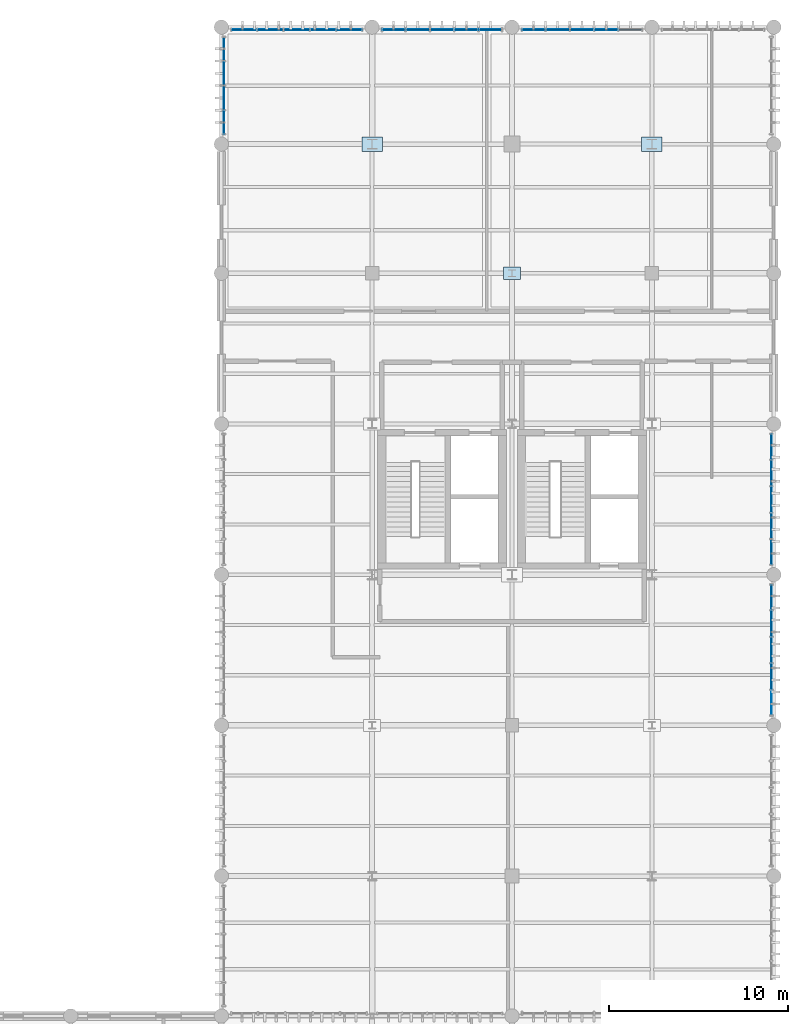
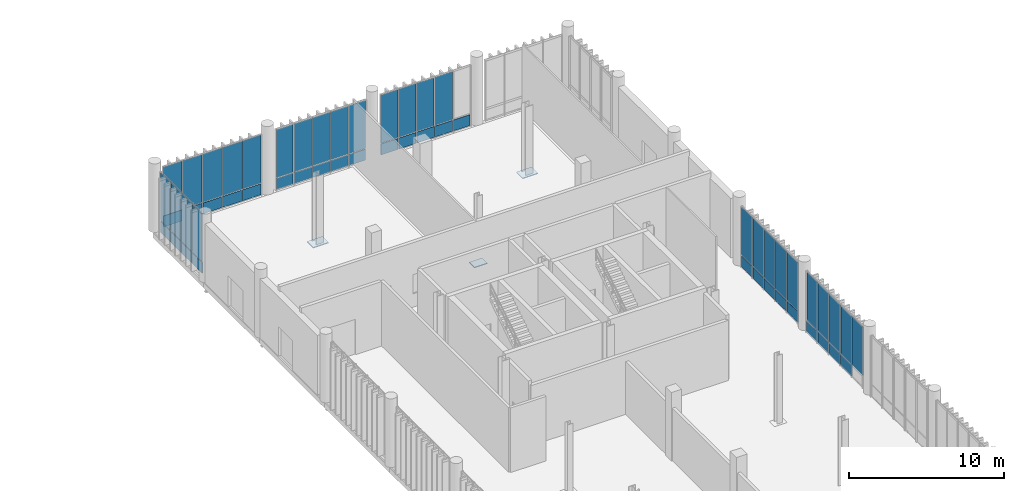
# One storey, part 83 of 112: 59 plates, 6 elements without a shape of their own.
"""IFC4 building model written with IfcOpenShell, lengths in metres."""

from ifc_helpers import new_model, si_unit, direction, frame, frame_2d, origin_with_axes, origin_2d_with_axis, place, context, subcontext, project, spatial, rectangle, extrude, material, layer, layer_set, type_object, element, aggregate, save


model = new_model("IFC4")

# Units and contexts
model_context = context("Model", 3, precision=1e-05, world=origin_with_axes(), true_north=direction((0.0, 1.0)))
body_context = subcontext(model_context, "Body", "Model", "MODEL_VIEW")
ifc_project = project(units=[si_unit("LENGTHUNIT", "METRE"), si_unit("AREAUNIT", "SQUARE_METRE"), si_unit("VOLUMEUNIT", "CUBIC_METRE"), si_unit("PLANEANGLEUNIT", "RADIAN"), si_unit("MASSUNIT", "GRAM", prefix="KILO"), si_unit("THERMODYNAMICTEMPERATUREUNIT", "KELVIN")], contexts=[model_context])

# Site, building, storey
site_placement = place(None, origin_with_axes())
site = spatial("IfcSite", under=ifc_project, at=site_placement, CompositionType="ELEMENT")
building_placement = place(site_placement, origin_with_axes())
building = spatial("IfcBuilding", under=site, at=building_placement, Name="Montbau Bow Law Courts", CompositionType="ELEMENT")
storey_placement = place(building_placement, origin_with_axes())
storey = spatial("IfcBuildingStorey", under=building, at=storey_placement, Name="L00", CompositionType="ELEMENT", Elevation=0.0)

# Plates
ifc_material_1 = material(Name="Steel CSA G40.21 Grade 350WT (350 MPa)", Category="steel")
ifc_layer_1 = layer(ifc_material_1, 0.065, Name="Base Plate", Category="steel")
ifc_layer_set_1 = layer_set([ifc_layer_1], Name="Steel CSA G40.21 Grade 350WT (350 MPa)")
plate_type_1 = type_object("IfcPlateType", Name="PL-BAS-01", PredefinedType="USERDEFINED", material=ifc_layer_set_1)
for number, where, z_axis, x_axis, name in (
    (1, (147.0, 110.4, -0.065), (0.0, 0.0, 1.0), (1.0, 0.0, 0.0), "BP-312:plt_0022"),
    (2, (162.6, 110.4, -0.065), (0.0, 0.0, 1.0), (1.0, 0.0, 0.0), "BP-342:plt_0031"),
):
    element("IfcPlate", number, at=place(None, frame(where, z_axis=z_axis, x_axis=x_axis)), inside=storey, type_object=plate_type_1, Name=name, ObjectType="BASE_PLATE", PredefinedType="USERDEFINED", context=body_context, shape_type="SweptSolid", body=[
        extrude(rectangle(XDim=1.15, YDim=0.8, at=origin_2d_with_axis()), origin_with_axes(), (0.0, 0.0, 1.0), 0.065),
    ])
ifc_material_2 = material(Name="Steel CSA G40.21 Grade 350W (350 MPa)", Category="steel")
ifc_layer_2 = layer(ifc_material_2, 0.05, Name="Base Plate", Category="steel")
ifc_layer_set_2 = layer_set([ifc_layer_2], Name="Steel CSA G40.21 Grade 350W (350 MPa)")
plate_type_2 = type_object("IfcPlateType", Name="PL-BAS-02", PredefinedType="USERDEFINED", material=ifc_layer_set_2)
plate_1_placement = place(None, frame((154.8, 103.2, -0.05), z_axis=(0.0, 0.0, 1.0), x_axis=(1.0, 0.0, 0.0)))
element("IfcPlate", 3, at=plate_1_placement, inside=storey, type_object=plate_type_2, Name="BP-326:plt_0026", ObjectType="BASE_PLATE", PredefinedType="USERDEFINED", context=body_context, shape_type="SweptSolid", body=[
    extrude(rectangle(XDim=0.96, YDim=0.68, at=origin_2d_with_axis()), origin_with_axes(), (0.0, 0.0, 1.0), 0.05),
])

# Curtain wall, plates
ifc_material_3 = material(Name="Thermally Broken Extruded Aluminium AA 6063-T6", Category="aluminium")
curtain_wall_type = type_object("IfcCurtainWallType", Name="CW-SLT-01", PredefinedType="NOTDEFINED", material=ifc_material_3)
curtain_wall_1_placement = place(None, frame((139.115, 116.78, 0.0), z_axis=(0.0, 0.0, 1.0), x_axis=(1.0, 0.0, 0.0)))
curtain_wall_1 = element("IfcCurtainWall", 4, at=curtain_wall_1_placement, inside=storey, type_object=curtain_wall_type, Name="CW-L00-263:cw_0263", PredefinedType="NOTDEFINED")
ifc_material_4 = material(Name="Triple-Glazed Low-E Argon Insulating Glass Unit", Category="glass")
ifc_layer_3 = layer(ifc_material_4, 0.044, Name="Curtain Panel", Category="glass")
ifc_layer_set_3 = layer_set([ifc_layer_3], Name="Triple-Glazed Low-E Argon Insulating Glass Unit")
plate_type_3 = type_object("IfcPlateType", Name="PL-CWP-01", PredefinedType="CURTAIN_PANEL", material=ifc_layer_set_3)
plate_2_placement = place(None, frame((139.177, 116.78, 0.979), z_axis=(0.0, -1.0, 0.0), x_axis=(1.0, 0.0, 0.0)))
plate_2 = element("IfcPlate", 5, at=plate_2_placement, type_object=plate_type_3, Name="CW-L00-263-P01-2:cw_0263_P01_2", PredefinedType="CURTAIN_PANEL", context=body_context, shape_type="SweptSolid", body=[
    extrude(rectangle(XDim=1.38, YDim=3.785, at=frame_2d((0.69, 1.8925), x_axis=(1.0, 0.0))), frame((0.0, 0.0, -0.022), z_axis=(0.0, 0.0, 1.0), x_axis=(1.0, 0.0, 0.0)), (0.0, 0.0, 1.0), 0.044),
])
plate_3_placement = place(None, frame((140.621, 116.78, 0.979), z_axis=(0.0, -1.0, 0.0), x_axis=(1.0, 0.0, 0.0)))
plate_3 = element("IfcPlate", 6, at=plate_3_placement, type_object=plate_type_3, Name="CW-L00-263-P02-2:cw_0263_P02_2", PredefinedType="CURTAIN_PANEL", context=body_context, shape_type="SweptSolid", body=[
    extrude(rectangle(XDim=1.41, YDim=3.785, at=frame_2d((0.705, 1.8925), x_axis=(1.0, 0.0))), frame((0.0, 0.0, -0.022), z_axis=(0.0, 0.0, 1.0), x_axis=(1.0, 0.0, 0.0)), (0.0, 0.0, 1.0), 0.044),
])
plate_4_placement = place(None, frame((142.095, 116.78, 0.979), z_axis=(0.0, -1.0, 0.0), x_axis=(1.0, 0.0, 0.0)))
plate_4 = element("IfcPlate", 7, at=plate_4_placement, type_object=plate_type_3, Name="CW-L00-263-P03-2:cw_0263_P03_2", PredefinedType="CURTAIN_PANEL", context=body_context, shape_type="SweptSolid", body=[
    extrude(rectangle(XDim=1.41, YDim=3.785, at=frame_2d((0.705, 1.8925), x_axis=(1.0, 0.0))), frame((0.0, 0.0, -0.022), z_axis=(0.0, 0.0, 1.0), x_axis=(1.0, 0.0, 0.0)), (0.0, 0.0, 1.0), 0.044),
])
plate_5_placement = place(None, frame((143.569, 116.78, 0.979), z_axis=(0.0, -1.0, 0.0), x_axis=(1.0, 0.0, 0.0)))
plate_5 = element("IfcPlate", 8, at=plate_5_placement, type_object=plate_type_3, Name="CW-L00-263-P04-2:cw_0263_P04_2", PredefinedType="CURTAIN_PANEL", context=body_context, shape_type="SweptSolid", body=[
    extrude(rectangle(XDim=1.41, YDim=3.785, at=frame_2d((0.705, 1.8925), x_axis=(1.0, 0.0))), frame((0.0, 0.0, -0.022), z_axis=(0.0, 0.0, 1.0), x_axis=(1.0, 0.0, 0.0)), (0.0, 0.0, 1.0), 0.044),
])
plate_6_placement = place(None, frame((145.043, 116.78, 0.979), z_axis=(0.0, -1.0, 0.0), x_axis=(1.0, 0.0, 0.0)))
plate_6 = element("IfcPlate", 9, at=plate_6_placement, type_object=plate_type_3, Name="CW-L00-263-P05-2:cw_0263_P05_2", PredefinedType="CURTAIN_PANEL", context=body_context, shape_type="SweptSolid", body=[
    extrude(rectangle(XDim=1.38, YDim=3.785, at=frame_2d((0.69, 1.8925), x_axis=(1.0, 0.0))), frame((0.0, 0.0, -0.022), z_axis=(0.0, 0.0, 1.0), x_axis=(1.0, 0.0, 0.0)), (0.0, 0.0, 1.0), 0.044),
])

curtain_wall_2_placement = place(None, frame((147.515, 116.78, 0.0), z_axis=(0.0, 0.0, 1.0), x_axis=(1.0, 0.0, 0.0)))
curtain_wall_2 = element("IfcCurtainWall", 10, at=curtain_wall_2_placement, inside=storey, type_object=curtain_wall_type, Name="CW-L00-264:cw_0264", PredefinedType="NOTDEFINED")
plate_7_placement = place(None, frame((147.591, 116.78, 0.982), z_axis=(0.0, -1.0, 0.0), x_axis=(1.0, 0.0, 0.0)))
plate_7 = element("IfcPlate", 11, at=plate_7_placement, type_object=plate_type_3, Name="CW-L00-264-P01-2:cw_0264_P01_2", PredefinedType="CURTAIN_PANEL", context=body_context, shape_type="SweptSolid", body=[
    extrude(rectangle(XDim=1.239, YDim=3.776, at=frame_2d((0.6195, 1.888), x_axis=(1.0, 0.0))), frame((0.0, 0.0, -0.022), z_axis=(0.0, 0.0, 1.0), x_axis=(1.0, 0.0, 0.0)), (0.0, 0.0, 1.0), 0.044),
])
plate_8_placement = place(None, frame((148.909, 116.78, 0.982), z_axis=(0.0, -1.0, 0.0), x_axis=(1.0, 0.0, 0.0)))
plate_8 = element("IfcPlate", 12, at=plate_8_placement, type_object=plate_type_3, Name="CW-L00-264-P02-2:cw_0264_P02_2", PredefinedType="CURTAIN_PANEL", context=body_context, shape_type="SweptSolid", body=[
    extrude(rectangle(XDim=1.275, YDim=3.776, at=frame_2d((0.6375, 1.888), x_axis=(1.0, 0.0))), frame((0.0, 0.0, -0.022), z_axis=(0.0, 0.0, 1.0), x_axis=(1.0, 0.0, 0.0)), (0.0, 0.0, 1.0), 0.044),
])
plate_9_placement = place(None, frame((150.263, 116.78, 0.982), z_axis=(0.0, -1.0, 0.0), x_axis=(1.0, 0.0, 0.0)))
plate_9 = element("IfcPlate", 13, at=plate_9_placement, type_object=plate_type_3, Name="CW-L00-264-P03-2:cw_0264_P03_2", PredefinedType="CURTAIN_PANEL", context=body_context, shape_type="SweptSolid", body=[
    extrude(rectangle(XDim=1.275, YDim=3.776, at=frame_2d((0.6375, 1.888), x_axis=(1.0, 0.0))), frame((0.0, 0.0, -0.022), z_axis=(0.0, 0.0, 1.0), x_axis=(1.0, 0.0, 0.0)), (0.0, 0.0, 1.0), 0.044),
])
plate_10_placement = place(None, frame((151.616, 116.78, 0.982), z_axis=(0.0, -1.0, 0.0), x_axis=(1.0, 0.0, 0.0)))
plate_10 = element("IfcPlate", 14, at=plate_10_placement, type_object=plate_type_3, Name="CW-L00-264-P04-2:cw_0264_P04_2", PredefinedType="CURTAIN_PANEL", context=body_context, shape_type="SweptSolid", body=[
    extrude(rectangle(XDim=1.276, YDim=3.776, at=frame_2d((0.638, 1.888), x_axis=(1.0, 0.0))), frame((0.0, 0.0, -0.022), z_axis=(0.0, 0.0, 1.0), x_axis=(1.0, 0.0, 0.0)), (0.0, 0.0, 1.0), 0.044),
])
plate_11_placement = place(None, frame((152.97, 116.78, 0.982), z_axis=(0.0, -1.0, 0.0), x_axis=(1.0, 0.0, 0.0)))
plate_11 = element("IfcPlate", 15, at=plate_11_placement, type_object=plate_type_3, Name="CW-L00-264-P05-2:cw_0264_P05_2", PredefinedType="CURTAIN_PANEL", context=body_context, shape_type="SweptSolid", body=[
    extrude(rectangle(XDim=1.239, YDim=3.776, at=frame_2d((0.6195, 1.888), x_axis=(1.0, 0.0))), frame((0.0, 0.0, -0.022), z_axis=(0.0, 0.0, 1.0), x_axis=(1.0, 0.0, 0.0)), (0.0, 0.0, 1.0), 0.044),
])

curtain_wall_3_placement = place(None, frame((155.315, 116.78, 0.0), z_axis=(0.0, 0.0, 1.0), x_axis=(1.0, 0.0, 0.0)))
curtain_wall_3 = element("IfcCurtainWall", 16, at=curtain_wall_3_placement, inside=storey, type_object=curtain_wall_type, Name="CW-L00-265:cw_0265", PredefinedType="NOTDEFINED")
plate_12_placement = place(None, frame((155.383, 116.78, 0.979), z_axis=(0.0, -1.0, 0.0), x_axis=(1.0, 0.0, 0.0)))
plate_12 = element("IfcPlate", 17, at=plate_12_placement, type_object=plate_type_3, Name="CW-L00-265-P01-2:cw_0265_P01_2", PredefinedType="CURTAIN_PANEL", context=body_context, shape_type="SweptSolid", body=[
    extrude(rectangle(XDim=1.252, YDim=3.785, at=frame_2d((0.626, 1.8925), x_axis=(1.0, 0.0))), frame((0.0, 0.0, -0.022), z_axis=(0.0, 0.0, 1.0), x_axis=(1.0, 0.0, 0.0)), (0.0, 0.0, 1.0), 0.044),
])
plate_13_placement = place(None, frame((156.704, 116.78, 0.979), z_axis=(0.0, -1.0, 0.0), x_axis=(1.0, 0.0, 0.0)))
plate_13 = element("IfcPlate", 18, at=plate_13_placement, type_object=plate_type_3, Name="CW-L00-265-P02-2:cw_0265_P02_2", PredefinedType="CURTAIN_PANEL", context=body_context, shape_type="SweptSolid", body=[
    extrude(rectangle(XDim=1.285, YDim=3.785, at=frame_2d((0.6425, 1.8925), x_axis=(1.0, 0.0))), frame((0.0, 0.0, -0.022), z_axis=(0.0, 0.0, 1.0), x_axis=(1.0, 0.0, 0.0)), (0.0, 0.0, 1.0), 0.044),
])
plate_14_placement = place(None, frame((158.058, 116.78, 0.979), z_axis=(0.0, -1.0, 0.0), x_axis=(1.0, 0.0, 0.0)))
plate_14 = element("IfcPlate", 19, at=plate_14_placement, type_object=plate_type_3, Name="CW-L00-265-P03-2:cw_0265_P03_2", PredefinedType="CURTAIN_PANEL", context=body_context, shape_type="SweptSolid", body=[
    extrude(rectangle(XDim=1.285, YDim=3.785, at=frame_2d((0.6425, 1.8925), x_axis=(1.0, 0.0))), frame((0.0, 0.0, -0.022), z_axis=(0.0, 0.0, 1.0), x_axis=(1.0, 0.0, 0.0)), (0.0, 0.0, 1.0), 0.044),
])
plate_15_placement = place(None, frame((159.411, 116.78, 0.979), z_axis=(0.0, -1.0, 0.0), x_axis=(1.0, 0.0, 0.0)))
plate_15 = element("IfcPlate", 20, at=plate_15_placement, type_object=plate_type_3, Name="CW-L00-265-P04-2:cw_0265_P04_2", PredefinedType="CURTAIN_PANEL", context=body_context, shape_type="SweptSolid", body=[
    extrude(rectangle(XDim=1.286, YDim=3.785, at=frame_2d((0.643, 1.8925), x_axis=(1.0, 0.0))), frame((0.0, 0.0, -0.022), z_axis=(0.0, 0.0, 1.0), x_axis=(1.0, 0.0, 0.0)), (0.0, 0.0, 1.0), 0.044),
])

curtain_wall_4_placement = place(None, frame((138.74, 110.915, 0.0), z_axis=(0.0, 0.0, 1.0), x_axis=(1.0, 0.0, 0.0)))
curtain_wall_4 = element("IfcCurtainWall", 21, at=curtain_wall_4_placement, inside=storey, type_object=curtain_wall_type, Name="CW-L00-271:cw_0271", PredefinedType="NOTDEFINED")
plate_16_placement = place(None, frame((138.74, 110.983, 0.979), z_axis=(1.0, 0.0, 0.0), x_axis=(0.0, 1.0, 0.0)))
plate_16 = element("IfcPlate", 22, at=plate_16_placement, type_object=plate_type_3, Name="CW-L00-271-P01-2:cw_0271_P01_2", PredefinedType="CURTAIN_PANEL", context=body_context, shape_type="SweptSolid", body=[
    extrude(rectangle(XDim=1.27, YDim=3.785, at=frame_2d((0.635, 1.8925), x_axis=(1.0, 0.0))), frame((0.0, 0.0, -0.022), z_axis=(0.0, 0.0, 1.0), x_axis=(1.0, 0.0, 0.0)), (0.0, 0.0, 1.0), 0.044),
])
plate_17_placement = place(None, frame((138.74, 112.322, 0.979), z_axis=(1.0, 0.0, 0.0), x_axis=(0.0, 1.0, 0.0)))
plate_17 = element("IfcPlate", 23, at=plate_17_placement, type_object=plate_type_3, Name="CW-L00-271-P02-2:cw_0271_P02_2", PredefinedType="CURTAIN_PANEL", context=body_context, shape_type="SweptSolid", body=[
    extrude(rectangle(XDim=1.304, YDim=3.785, at=frame_2d((0.652, 1.8925), x_axis=(1.0, 0.0))), frame((0.0, 0.0, -0.022), z_axis=(0.0, 0.0, 1.0), x_axis=(1.0, 0.0, 0.0)), (0.0, 0.0, 1.0), 0.044),
])
plate_18_placement = place(None, frame((138.74, 113.695, 0.979), z_axis=(1.0, 0.0, 0.0), x_axis=(0.0, 1.0, 0.0)))
plate_18 = element("IfcPlate", 24, at=plate_18_placement, type_object=plate_type_3, Name="CW-L00-271-P03-2:cw_0271_P03_2", PredefinedType="CURTAIN_PANEL", context=body_context, shape_type="SweptSolid", body=[
    extrude(rectangle(XDim=1.303, YDim=3.785, at=frame_2d((0.6515, 1.8925), x_axis=(1.0, 0.0))), frame((0.0, 0.0, -0.022), z_axis=(0.0, 0.0, 1.0), x_axis=(1.0, 0.0, 0.0)), (0.0, 0.0, 1.0), 0.044),
])
plate_19_placement = place(None, frame((138.74, 115.066, 0.979), z_axis=(1.0, 0.0, 0.0), x_axis=(0.0, 1.0, 0.0)))
plate_19 = element("IfcPlate", 25, at=plate_19_placement, type_object=plate_type_3, Name="CW-L00-271-P04-2:cw_0271_P04_2", PredefinedType="CURTAIN_PANEL", context=body_context, shape_type="SweptSolid", body=[
    extrude(rectangle(XDim=1.272, YDim=3.785, at=frame_2d((0.636, 1.8925), x_axis=(1.0, 0.0))), frame((0.0, 0.0, -0.022), z_axis=(0.0, 0.0, 1.0), x_axis=(1.0, 0.0, 0.0)), (0.0, 0.0, 1.0), 0.044),
])

curtain_wall_5_placement = place(None, frame((169.26, 78.515, 0.0), z_axis=(0.0, 0.0, 1.0), x_axis=(1.0, 0.0, 0.0)))
curtain_wall_5 = element("IfcCurtainWall", 26, at=curtain_wall_5_placement, inside=storey, type_object=curtain_wall_type, Name="CW-L00-274:cw_0274", PredefinedType="NOTDEFINED")
plate_20_placement = place(None, frame((169.26, 78.583, 0.982), z_axis=(1.0, 0.0, 0.0), x_axis=(0.0, 1.0, 0.0)))
plate_20 = element("IfcPlate", 27, at=plate_20_placement, type_object=plate_type_3, Name="CW-L00-274-P01-2:cw_0274_P01_2", PredefinedType="CURTAIN_PANEL", context=body_context, shape_type="SweptSolid", body=[
    extrude(rectangle(XDim=1.372, YDim=3.776, at=frame_2d((0.686, 1.888), x_axis=(1.0, 0.0))), frame((0.0, 0.0, -0.022), z_axis=(0.0, 0.0, 1.0), x_axis=(1.0, 0.0, 0.0)), (0.0, 0.0, 1.0), 0.044),
])
plate_21_placement = place(None, frame((169.26, 80.023, 0.982), z_axis=(1.0, 0.0, 0.0), x_axis=(0.0, 1.0, 0.0)))
plate_21 = element("IfcPlate", 28, at=plate_21_placement, type_object=plate_type_3, Name="CW-L00-274-P02-2:cw_0274_P02_2", PredefinedType="CURTAIN_PANEL", context=body_context, shape_type="SweptSolid", body=[
    extrude(rectangle(XDim=1.405, YDim=3.776, at=frame_2d((0.7025, 1.888), x_axis=(1.0, 0.0))), frame((0.0, 0.0, -0.022), z_axis=(0.0, 0.0, 1.0), x_axis=(1.0, 0.0, 0.0)), (0.0, 0.0, 1.0), 0.044),
])
plate_22_placement = place(None, frame((169.26, 81.497, 0.982), z_axis=(1.0, 0.0, 0.0), x_axis=(0.0, 1.0, 0.0)))
plate_22 = element("IfcPlate", 29, at=plate_22_placement, type_object=plate_type_3, Name="CW-L00-274-P03-2:cw_0274_P03_2", PredefinedType="CURTAIN_PANEL", context=body_context, shape_type="SweptSolid", body=[
    extrude(rectangle(XDim=1.406, YDim=3.776, at=frame_2d((0.703, 1.888), x_axis=(1.0, 0.0))), frame((0.0, 0.0, -0.022), z_axis=(0.0, 0.0, 1.0), x_axis=(1.0, 0.0, 0.0)), (0.0, 0.0, 1.0), 0.044),
])
plate_23_placement = place(None, frame((169.26, 82.971, 0.982), z_axis=(1.0, 0.0, 0.0), x_axis=(0.0, 1.0, 0.0)))
plate_23 = element("IfcPlate", 30, at=plate_23_placement, type_object=plate_type_3, Name="CW-L00-274-P04-2:cw_0274_P04_2", PredefinedType="CURTAIN_PANEL", context=body_context, shape_type="SweptSolid", body=[
    extrude(rectangle(XDim=1.406, YDim=3.776, at=frame_2d((0.703, 1.888), x_axis=(1.0, 0.0))), frame((0.0, 0.0, -0.022), z_axis=(0.0, 0.0, 1.0), x_axis=(1.0, 0.0, 0.0)), (0.0, 0.0, 1.0), 0.044),
])
plate_24_placement = place(None, frame((169.26, 84.445, 0.982), z_axis=(1.0, 0.0, 0.0), x_axis=(0.0, 1.0, 0.0)))
plate_24 = element("IfcPlate", 31, at=plate_24_placement, type_object=plate_type_3, Name="CW-L00-274-P05-2:cw_0274_P05_2", PredefinedType="CURTAIN_PANEL", context=body_context, shape_type="SweptSolid", body=[
    extrude(rectangle(XDim=1.374, YDim=3.776, at=frame_2d((0.687, 1.888), x_axis=(1.0, 0.0))), frame((0.0, 0.0, -0.022), z_axis=(0.0, 0.0, 1.0), x_axis=(1.0, 0.0, 0.0)), (0.0, 0.0, 1.0), 0.044),
])

curtain_wall_6_placement = place(None, frame((169.26, 86.915, 0.0), z_axis=(0.0, 0.0, 1.0), x_axis=(1.0, 0.0, 0.0)))
curtain_wall_6 = element("IfcCurtainWall", 32, at=curtain_wall_6_placement, inside=storey, type_object=curtain_wall_type, Name="CW-L00-275:cw_0275", PredefinedType="NOTDEFINED")
plate_25_placement = place(None, frame((169.26, 86.977, 0.979), z_axis=(1.0, 0.0, 0.0), x_axis=(0.0, 1.0, 0.0)))
plate_25 = element("IfcPlate", 33, at=plate_25_placement, type_object=plate_type_3, Name="CW-L00-275-P01-2:cw_0275_P01_2", PredefinedType="CURTAIN_PANEL", context=body_context, shape_type="SweptSolid", body=[
    extrude(rectangle(XDim=1.38, YDim=3.785, at=frame_2d((0.69, 1.8925), x_axis=(1.0, 0.0))), frame((0.0, 0.0, -0.022), z_axis=(0.0, 0.0, 1.0), x_axis=(1.0, 0.0, 0.0)), (0.0, 0.0, 1.0), 0.044),
])
plate_26_placement = place(None, frame((169.26, 88.421, 0.979), z_axis=(1.0, 0.0, 0.0), x_axis=(0.0, 1.0, 0.0)))
plate_26 = element("IfcPlate", 34, at=plate_26_placement, type_object=plate_type_3, Name="CW-L00-275-P02-2:cw_0275_P02_2", PredefinedType="CURTAIN_PANEL", context=body_context, shape_type="SweptSolid", body=[
    extrude(rectangle(XDim=1.41, YDim=3.785, at=frame_2d((0.705, 1.8925), x_axis=(1.0, 0.0))), frame((0.0, 0.0, -0.022), z_axis=(0.0, 0.0, 1.0), x_axis=(1.0, 0.0, 0.0)), (0.0, 0.0, 1.0), 0.044),
])
plate_27_placement = place(None, frame((169.26, 89.895, 0.979), z_axis=(1.0, 0.0, 0.0), x_axis=(0.0, 1.0, 0.0)))
plate_27 = element("IfcPlate", 35, at=plate_27_placement, type_object=plate_type_3, Name="CW-L00-275-P03-2:cw_0275_P03_2", PredefinedType="CURTAIN_PANEL", context=body_context, shape_type="SweptSolid", body=[
    extrude(rectangle(XDim=1.41, YDim=3.785, at=frame_2d((0.705, 1.8925), x_axis=(1.0, 0.0))), frame((0.0, 0.0, -0.022), z_axis=(0.0, 0.0, 1.0), x_axis=(1.0, 0.0, 0.0)), (0.0, 0.0, 1.0), 0.044),
])
plate_28_placement = place(None, frame((169.26, 91.369, 0.979), z_axis=(1.0, 0.0, 0.0), x_axis=(0.0, 1.0, 0.0)))
plate_28 = element("IfcPlate", 36, at=plate_28_placement, type_object=plate_type_3, Name="CW-L00-275-P04-2:cw_0275_P04_2", PredefinedType="CURTAIN_PANEL", context=body_context, shape_type="SweptSolid", body=[
    extrude(rectangle(XDim=1.41, YDim=3.785, at=frame_2d((0.705, 1.8925), x_axis=(1.0, 0.0))), frame((0.0, 0.0, -0.022), z_axis=(0.0, 0.0, 1.0), x_axis=(1.0, 0.0, 0.0)), (0.0, 0.0, 1.0), 0.044),
])
plate_29_placement = place(None, frame((169.26, 92.843, 0.979), z_axis=(1.0, 0.0, 0.0), x_axis=(0.0, 1.0, 0.0)))
plate_29 = element("IfcPlate", 37, at=plate_29_placement, type_object=plate_type_3, Name="CW-L00-275-P05-2:cw_0275_P05_2", PredefinedType="CURTAIN_PANEL", context=body_context, shape_type="SweptSolid", body=[
    extrude(rectangle(XDim=1.38, YDim=3.785, at=frame_2d((0.69, 1.8925), x_axis=(1.0, 0.0))), frame((0.0, 0.0, -0.022), z_axis=(0.0, 0.0, 1.0), x_axis=(1.0, 0.0, 0.0)), (0.0, 0.0, 1.0), 0.044),
])

# Plate
ifc_material_5 = material(Name="Insulated Ceramic-Frit Spandrel Glazing Unit", Category="glass")
ifc_layer_4 = layer(ifc_material_5, 0.056, Name="Curtain Panel", Category="glass")
ifc_layer_set_4 = layer_set([ifc_layer_4], Name="Insulated Ceramic-Frit Spandrel Glazing Unit")
plate_type_4 = type_object("IfcPlateType", Name="PL-CWP-02", PredefinedType="CURTAIN_PANEL", material=ifc_layer_set_4)
plate_30_placement = place(None, frame((139.177, 116.78, 0.058), z_axis=(0.0, -1.0, 0.0), x_axis=(1.0, 0.0, 0.0)))
plate_30 = element("IfcPlate", 38, at=plate_30_placement, type_object=plate_type_4, Name="CW-L00-263-P01-1:cw_0263_P01_1", PredefinedType="CURTAIN_PANEL", context=body_context, shape_type="SweptSolid", body=[
    extrude(rectangle(XDim=1.38, YDim=0.862, at=frame_2d((0.69, 0.431), x_axis=(1.0, 0.0))), frame((0.0, 0.0, -0.028), z_axis=(0.0, 0.0, 1.0), x_axis=(1.0, 0.0, 0.0)), (0.0, 0.0, 1.0), 0.056),
])

plate_31_placement = place(None, frame((140.621, 116.78, 0.058), z_axis=(0.0, -1.0, 0.0), x_axis=(1.0, 0.0, 0.0)))
plate_31 = element("IfcPlate", 39, at=plate_31_placement, type_object=plate_type_4, Name="CW-L00-263-P02-1:cw_0263_P02_1", PredefinedType="CURTAIN_PANEL", context=body_context, shape_type="SweptSolid", body=[
    extrude(rectangle(XDim=1.41, YDim=0.862, at=frame_2d((0.705, 0.431), x_axis=(1.0, 0.0))), frame((0.0, 0.0, -0.028), z_axis=(0.0, 0.0, 1.0), x_axis=(1.0, 0.0, 0.0)), (0.0, 0.0, 1.0), 0.056),
])

plate_32_placement = place(None, frame((142.095, 116.78, 0.058), z_axis=(0.0, -1.0, 0.0), x_axis=(1.0, 0.0, 0.0)))
plate_32 = element("IfcPlate", 40, at=plate_32_placement, type_object=plate_type_4, Name="CW-L00-263-P03-1:cw_0263_P03_1", PredefinedType="CURTAIN_PANEL", context=body_context, shape_type="SweptSolid", body=[
    extrude(rectangle(XDim=1.41, YDim=0.862, at=frame_2d((0.705, 0.431), x_axis=(1.0, 0.0))), frame((0.0, 0.0, -0.028), z_axis=(0.0, 0.0, 1.0), x_axis=(1.0, 0.0, 0.0)), (0.0, 0.0, 1.0), 0.056),
])

plate_33_placement = place(None, frame((143.569, 116.78, 0.058), z_axis=(0.0, -1.0, 0.0), x_axis=(1.0, 0.0, 0.0)))
plate_33 = element("IfcPlate", 41, at=plate_33_placement, type_object=plate_type_4, Name="CW-L00-263-P04-1:cw_0263_P04_1", PredefinedType="CURTAIN_PANEL", context=body_context, shape_type="SweptSolid", body=[
    extrude(rectangle(XDim=1.41, YDim=0.862, at=frame_2d((0.705, 0.431), x_axis=(1.0, 0.0))), frame((0.0, 0.0, -0.028), z_axis=(0.0, 0.0, 1.0), x_axis=(1.0, 0.0, 0.0)), (0.0, 0.0, 1.0), 0.056),
])

plate_34_placement = place(None, frame((145.043, 116.78, 0.058), z_axis=(0.0, -1.0, 0.0), x_axis=(1.0, 0.0, 0.0)))
plate_34 = element("IfcPlate", 42, at=plate_34_placement, type_object=plate_type_4, Name="CW-L00-263-P05-1:cw_0263_P05_1", PredefinedType="CURTAIN_PANEL", context=body_context, shape_type="SweptSolid", body=[
    extrude(rectangle(XDim=1.38, YDim=0.862, at=frame_2d((0.69, 0.431), x_axis=(1.0, 0.0))), frame((0.0, 0.0, -0.028), z_axis=(0.0, 0.0, 1.0), x_axis=(1.0, 0.0, 0.0)), (0.0, 0.0, 1.0), 0.056),
])

aggregate(curtain_wall_1, [plate_30, plate_2, plate_31, plate_3, plate_32, plate_4, plate_33, plate_5, plate_34, plate_6])

plate_35_placement = place(None, frame((147.591, 116.78, 0.062), z_axis=(0.0, -1.0, 0.0), x_axis=(1.0, 0.0, 0.0)))
plate_35 = element("IfcPlate", 43, at=plate_35_placement, type_object=plate_type_4, Name="CW-L00-264-P01-1:cw_0264_P01_1", PredefinedType="CURTAIN_PANEL", context=body_context, shape_type="SweptSolid", body=[
    extrude(rectangle(XDim=1.239, YDim=0.856, at=frame_2d((0.6195, 0.428), x_axis=(1.0, 0.0))), frame((0.0, 0.0, -0.028), z_axis=(0.0, 0.0, 1.0), x_axis=(1.0, 0.0, 0.0)), (0.0, 0.0, 1.0), 0.056),
])

plate_36_placement = place(None, frame((148.909, 116.78, 0.062), z_axis=(0.0, -1.0, 0.0), x_axis=(1.0, 0.0, 0.0)))
plate_36 = element("IfcPlate", 44, at=plate_36_placement, type_object=plate_type_4, Name="CW-L00-264-P02-1:cw_0264_P02_1", PredefinedType="CURTAIN_PANEL", context=body_context, shape_type="SweptSolid", body=[
    extrude(rectangle(XDim=1.275, YDim=0.856, at=frame_2d((0.6375, 0.428), x_axis=(1.0, 0.0))), frame((0.0, 0.0, -0.028), z_axis=(0.0, 0.0, 1.0), x_axis=(1.0, 0.0, 0.0)), (0.0, 0.0, 1.0), 0.056),
])

plate_37_placement = place(None, frame((150.263, 116.78, 0.062), z_axis=(0.0, -1.0, 0.0), x_axis=(1.0, 0.0, 0.0)))
plate_37 = element("IfcPlate", 45, at=plate_37_placement, type_object=plate_type_4, Name="CW-L00-264-P03-1:cw_0264_P03_1", PredefinedType="CURTAIN_PANEL", context=body_context, shape_type="SweptSolid", body=[
    extrude(rectangle(XDim=1.275, YDim=0.856, at=frame_2d((0.6375, 0.428), x_axis=(1.0, 0.0))), frame((0.0, 0.0, -0.028), z_axis=(0.0, 0.0, 1.0), x_axis=(1.0, 0.0, 0.0)), (0.0, 0.0, 1.0), 0.056),
])

plate_38_placement = place(None, frame((151.616, 116.78, 0.062), z_axis=(0.0, -1.0, 0.0), x_axis=(1.0, 0.0, 0.0)))
plate_38 = element("IfcPlate", 46, at=plate_38_placement, type_object=plate_type_4, Name="CW-L00-264-P04-1:cw_0264_P04_1", PredefinedType="CURTAIN_PANEL", context=body_context, shape_type="SweptSolid", body=[
    extrude(rectangle(XDim=1.276, YDim=0.856, at=frame_2d((0.638, 0.428), x_axis=(1.0, 0.0))), frame((0.0, 0.0, -0.028), z_axis=(0.0, 0.0, 1.0), x_axis=(1.0, 0.0, 0.0)), (0.0, 0.0, 1.0), 0.056),
])

plate_39_placement = place(None, frame((152.97, 116.78, 0.062), z_axis=(0.0, -1.0, 0.0), x_axis=(1.0, 0.0, 0.0)))
plate_39 = element("IfcPlate", 47, at=plate_39_placement, type_object=plate_type_4, Name="CW-L00-264-P05-1:cw_0264_P05_1", PredefinedType="CURTAIN_PANEL", context=body_context, shape_type="SweptSolid", body=[
    extrude(rectangle(XDim=1.239, YDim=0.856, at=frame_2d((0.6195, 0.428), x_axis=(1.0, 0.0))), frame((0.0, 0.0, -0.028), z_axis=(0.0, 0.0, 1.0), x_axis=(1.0, 0.0, 0.0)), (0.0, 0.0, 1.0), 0.056),
])

aggregate(curtain_wall_2, [plate_35, plate_7, plate_36, plate_8, plate_37, plate_9, plate_38, plate_10, plate_39, plate_11])

plate_40_placement = place(None, frame((155.383, 116.78, 0.058), z_axis=(0.0, -1.0, 0.0), x_axis=(1.0, 0.0, 0.0)))
plate_40 = element("IfcPlate", 48, at=plate_40_placement, type_object=plate_type_4, Name="CW-L00-265-P01-1:cw_0265_P01_1", PredefinedType="CURTAIN_PANEL", context=body_context, shape_type="SweptSolid", body=[
    extrude(rectangle(XDim=1.252, YDim=0.862, at=frame_2d((0.626, 0.431), x_axis=(1.0, 0.0))), frame((0.0, 0.0, -0.028), z_axis=(0.0, 0.0, 1.0), x_axis=(1.0, 0.0, 0.0)), (0.0, 0.0, 1.0), 0.056),
])

plate_41_placement = place(None, frame((156.704, 116.78, 0.058), z_axis=(0.0, -1.0, 0.0), x_axis=(1.0, 0.0, 0.0)))
plate_41 = element("IfcPlate", 49, at=plate_41_placement, type_object=plate_type_4, Name="CW-L00-265-P02-1:cw_0265_P02_1", PredefinedType="CURTAIN_PANEL", context=body_context, shape_type="SweptSolid", body=[
    extrude(rectangle(XDim=1.285, YDim=0.862, at=frame_2d((0.6425, 0.431), x_axis=(1.0, 0.0))), frame((0.0, 0.0, -0.028), z_axis=(0.0, 0.0, 1.0), x_axis=(1.0, 0.0, 0.0)), (0.0, 0.0, 1.0), 0.056),
])

plate_42_placement = place(None, frame((158.058, 116.78, 0.058), z_axis=(0.0, -1.0, 0.0), x_axis=(1.0, 0.0, 0.0)))
plate_42 = element("IfcPlate", 50, at=plate_42_placement, type_object=plate_type_4, Name="CW-L00-265-P03-1:cw_0265_P03_1", PredefinedType="CURTAIN_PANEL", context=body_context, shape_type="SweptSolid", body=[
    extrude(rectangle(XDim=1.285, YDim=0.862, at=frame_2d((0.6425, 0.431), x_axis=(1.0, 0.0))), frame((0.0, 0.0, -0.028), z_axis=(0.0, 0.0, 1.0), x_axis=(1.0, 0.0, 0.0)), (0.0, 0.0, 1.0), 0.056),
])

plate_43_placement = place(None, frame((159.411, 116.78, 0.058), z_axis=(0.0, -1.0, 0.0), x_axis=(1.0, 0.0, 0.0)))
plate_43 = element("IfcPlate", 51, at=plate_43_placement, type_object=plate_type_4, Name="CW-L00-265-P04-1:cw_0265_P04_1", PredefinedType="CURTAIN_PANEL", context=body_context, shape_type="SweptSolid", body=[
    extrude(rectangle(XDim=1.286, YDim=0.862, at=frame_2d((0.643, 0.431), x_axis=(1.0, 0.0))), frame((0.0, 0.0, -0.028), z_axis=(0.0, 0.0, 1.0), x_axis=(1.0, 0.0, 0.0)), (0.0, 0.0, 1.0), 0.056),
])

plate_44_placement = place(None, frame((160.765, 116.78, 0.058), z_axis=(0.0, -1.0, 0.0), x_axis=(1.0, 0.0, 0.0)))
plate_44 = element("IfcPlate", 52, at=plate_44_placement, type_object=plate_type_4, Name="CW-L00-265-P05-1:cw_0265_P05_1", PredefinedType="CURTAIN_PANEL", context=body_context, shape_type="SweptSolid", body=[
    extrude(rectangle(XDim=1.254, YDim=0.862, at=frame_2d((0.627, 0.431), x_axis=(1.0, 0.0))), frame((0.0, 0.0, -0.028), z_axis=(0.0, 0.0, 1.0), x_axis=(1.0, 0.0, 0.0)), (0.0, 0.0, 1.0), 0.056),
])

aggregate(curtain_wall_3, [plate_40, plate_12, plate_41, plate_13, plate_42, plate_14, plate_43, plate_15, plate_44])

plate_45_placement = place(None, frame((138.74, 110.983, 0.058), z_axis=(1.0, 0.0, 0.0), x_axis=(0.0, 1.0, 0.0)))
plate_45 = element("IfcPlate", 53, at=plate_45_placement, type_object=plate_type_4, Name="CW-L00-271-P01-1:cw_0271_P01_1", PredefinedType="CURTAIN_PANEL", context=body_context, shape_type="SweptSolid", body=[
    extrude(rectangle(XDim=1.27, YDim=0.862, at=frame_2d((0.635, 0.431), x_axis=(1.0, 0.0))), frame((0.0, 0.0, -0.028), z_axis=(0.0, 0.0, 1.0), x_axis=(1.0, 0.0, 0.0)), (0.0, 0.0, 1.0), 0.056),
])

plate_46_placement = place(None, frame((138.74, 112.322, 0.058), z_axis=(1.0, 0.0, 0.0), x_axis=(0.0, 1.0, 0.0)))
plate_46 = element("IfcPlate", 54, at=plate_46_placement, type_object=plate_type_4, Name="CW-L00-271-P02-1:cw_0271_P02_1", PredefinedType="CURTAIN_PANEL", context=body_context, shape_type="SweptSolid", body=[
    extrude(rectangle(XDim=1.304, YDim=0.862, at=frame_2d((0.652, 0.431), x_axis=(1.0, 0.0))), frame((0.0, 0.0, -0.028), z_axis=(0.0, 0.0, 1.0), x_axis=(1.0, 0.0, 0.0)), (0.0, 0.0, 1.0), 0.056),
])

plate_47_placement = place(None, frame((138.74, 113.695, 0.058), z_axis=(1.0, 0.0, 0.0), x_axis=(0.0, 1.0, 0.0)))
plate_47 = element("IfcPlate", 55, at=plate_47_placement, type_object=plate_type_4, Name="CW-L00-271-P03-1:cw_0271_P03_1", PredefinedType="CURTAIN_PANEL", context=body_context, shape_type="SweptSolid", body=[
    extrude(rectangle(XDim=1.303, YDim=0.862, at=frame_2d((0.6515, 0.431), x_axis=(1.0, 0.0))), frame((0.0, 0.0, -0.028), z_axis=(0.0, 0.0, 1.0), x_axis=(1.0, 0.0, 0.0)), (0.0, 0.0, 1.0), 0.056),
])

plate_48_placement = place(None, frame((138.74, 115.066, 0.058), z_axis=(1.0, 0.0, 0.0), x_axis=(0.0, 1.0, 0.0)))
plate_48 = element("IfcPlate", 56, at=plate_48_placement, type_object=plate_type_4, Name="CW-L00-271-P04-1:cw_0271_P04_1", PredefinedType="CURTAIN_PANEL", context=body_context, shape_type="SweptSolid", body=[
    extrude(rectangle(XDim=1.272, YDim=0.862, at=frame_2d((0.636, 0.431), x_axis=(1.0, 0.0))), frame((0.0, 0.0, -0.028), z_axis=(0.0, 0.0, 1.0), x_axis=(1.0, 0.0, 0.0)), (0.0, 0.0, 1.0), 0.056),
])

aggregate(curtain_wall_4, [plate_45, plate_16, plate_46, plate_17, plate_47, plate_18, plate_48, plate_19])

plate_49_placement = place(None, frame((169.26, 80.023, 0.062), z_axis=(1.0, 0.0, 0.0), x_axis=(0.0, 1.0, 0.0)))
plate_49 = element("IfcPlate", 57, at=plate_49_placement, type_object=plate_type_4, Name="CW-L00-274-P02-1:cw_0274_P02_1", PredefinedType="CURTAIN_PANEL", context=body_context, shape_type="SweptSolid", body=[
    extrude(rectangle(XDim=1.405, YDim=0.856, at=frame_2d((0.7025, 0.428), x_axis=(1.0, 0.0))), frame((0.0, 0.0, -0.028), z_axis=(0.0, 0.0, 1.0), x_axis=(1.0, 0.0, 0.0)), (0.0, 0.0, 1.0), 0.056),
])

plate_50_placement = place(None, frame((169.26, 81.497, 0.062), z_axis=(1.0, 0.0, 0.0), x_axis=(0.0, 1.0, 0.0)))
plate_50 = element("IfcPlate", 58, at=plate_50_placement, type_object=plate_type_4, Name="CW-L00-274-P03-1:cw_0274_P03_1", PredefinedType="CURTAIN_PANEL", context=body_context, shape_type="SweptSolid", body=[
    extrude(rectangle(XDim=1.406, YDim=0.856, at=frame_2d((0.703, 0.428), x_axis=(1.0, 0.0))), frame((0.0, 0.0, -0.028), z_axis=(0.0, 0.0, 1.0), x_axis=(1.0, 0.0, 0.0)), (0.0, 0.0, 1.0), 0.056),
])

plate_51_placement = place(None, frame((169.26, 82.971, 0.062), z_axis=(1.0, 0.0, 0.0), x_axis=(0.0, 1.0, 0.0)))
plate_51 = element("IfcPlate", 59, at=plate_51_placement, type_object=plate_type_4, Name="CW-L00-274-P04-1:cw_0274_P04_1", PredefinedType="CURTAIN_PANEL", context=body_context, shape_type="SweptSolid", body=[
    extrude(rectangle(XDim=1.406, YDim=0.856, at=frame_2d((0.703, 0.428), x_axis=(1.0, 0.0))), frame((0.0, 0.0, -0.028), z_axis=(0.0, 0.0, 1.0), x_axis=(1.0, 0.0, 0.0)), (0.0, 0.0, 1.0), 0.056),
])

plate_52_placement = place(None, frame((169.26, 84.445, 0.062), z_axis=(1.0, 0.0, 0.0), x_axis=(0.0, 1.0, 0.0)))
plate_52 = element("IfcPlate", 60, at=plate_52_placement, type_object=plate_type_4, Name="CW-L00-274-P05-1:cw_0274_P05_1", PredefinedType="CURTAIN_PANEL", context=body_context, shape_type="SweptSolid", body=[
    extrude(rectangle(XDim=1.374, YDim=0.856, at=frame_2d((0.687, 0.428), x_axis=(1.0, 0.0))), frame((0.0, 0.0, -0.028), z_axis=(0.0, 0.0, 1.0), x_axis=(1.0, 0.0, 0.0)), (0.0, 0.0, 1.0), 0.056),
])

aggregate(curtain_wall_5, [plate_20, plate_49, plate_21, plate_50, plate_22, plate_51, plate_23, plate_52, plate_24])

plate_53_placement = place(None, frame((169.26, 86.977, 0.058), z_axis=(1.0, 0.0, 0.0), x_axis=(0.0, 1.0, 0.0)))
plate_53 = element("IfcPlate", 61, at=plate_53_placement, type_object=plate_type_4, Name="CW-L00-275-P01-1:cw_0275_P01_1", PredefinedType="CURTAIN_PANEL", context=body_context, shape_type="SweptSolid", body=[
    extrude(rectangle(XDim=1.38, YDim=0.862, at=frame_2d((0.69, 0.431), x_axis=(1.0, 0.0))), frame((0.0, 0.0, -0.028), z_axis=(0.0, 0.0, 1.0), x_axis=(1.0, 0.0, 0.0)), (0.0, 0.0, 1.0), 0.056),
])

plate_54_placement = place(None, frame((169.26, 88.421, 0.058), z_axis=(1.0, 0.0, 0.0), x_axis=(0.0, 1.0, 0.0)))
plate_54 = element("IfcPlate", 62, at=plate_54_placement, type_object=plate_type_4, Name="CW-L00-275-P02-1:cw_0275_P02_1", PredefinedType="CURTAIN_PANEL", context=body_context, shape_type="SweptSolid", body=[
    extrude(rectangle(XDim=1.41, YDim=0.862, at=frame_2d((0.705, 0.431), x_axis=(1.0, 0.0))), frame((0.0, 0.0, -0.028), z_axis=(0.0, 0.0, 1.0), x_axis=(1.0, 0.0, 0.0)), (0.0, 0.0, 1.0), 0.056),
])

plate_55_placement = place(None, frame((169.26, 89.895, 0.058), z_axis=(1.0, 0.0, 0.0), x_axis=(0.0, 1.0, 0.0)))
plate_55 = element("IfcPlate", 63, at=plate_55_placement, type_object=plate_type_4, Name="CW-L00-275-P03-1:cw_0275_P03_1", PredefinedType="CURTAIN_PANEL", context=body_context, shape_type="SweptSolid", body=[
    extrude(rectangle(XDim=1.41, YDim=0.862, at=frame_2d((0.705, 0.431), x_axis=(1.0, 0.0))), frame((0.0, 0.0, -0.028), z_axis=(0.0, 0.0, 1.0), x_axis=(1.0, 0.0, 0.0)), (0.0, 0.0, 1.0), 0.056),
])

plate_56_placement = place(None, frame((169.26, 91.369, 0.058), z_axis=(1.0, 0.0, 0.0), x_axis=(0.0, 1.0, 0.0)))
plate_56 = element("IfcPlate", 64, at=plate_56_placement, type_object=plate_type_4, Name="CW-L00-275-P04-1:cw_0275_P04_1", PredefinedType="CURTAIN_PANEL", context=body_context, shape_type="SweptSolid", body=[
    extrude(rectangle(XDim=1.41, YDim=0.862, at=frame_2d((0.705, 0.431), x_axis=(1.0, 0.0))), frame((0.0, 0.0, -0.028), z_axis=(0.0, 0.0, 1.0), x_axis=(1.0, 0.0, 0.0)), (0.0, 0.0, 1.0), 0.056),
])

plate_57_placement = place(None, frame((169.26, 92.843, 0.058), z_axis=(1.0, 0.0, 0.0), x_axis=(0.0, 1.0, 0.0)))
plate_57 = element("IfcPlate", 65, at=plate_57_placement, type_object=plate_type_4, Name="CW-L00-275-P05-1:cw_0275_P05_1", PredefinedType="CURTAIN_PANEL", context=body_context, shape_type="SweptSolid", body=[
    extrude(rectangle(XDim=1.38, YDim=0.862, at=frame_2d((0.69, 0.431), x_axis=(1.0, 0.0))), frame((0.0, 0.0, -0.028), z_axis=(0.0, 0.0, 1.0), x_axis=(1.0, 0.0, 0.0)), (0.0, 0.0, 1.0), 0.056),
])

aggregate(curtain_wall_6, [plate_53, plate_25, plate_54, plate_26, plate_55, plate_27, plate_56, plate_28, plate_57, plate_29])

save(model, "model.ifc")
